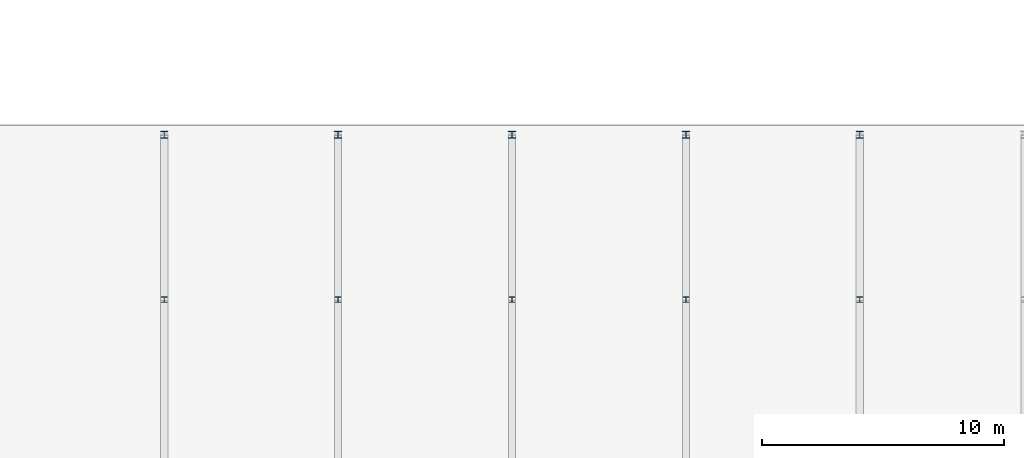
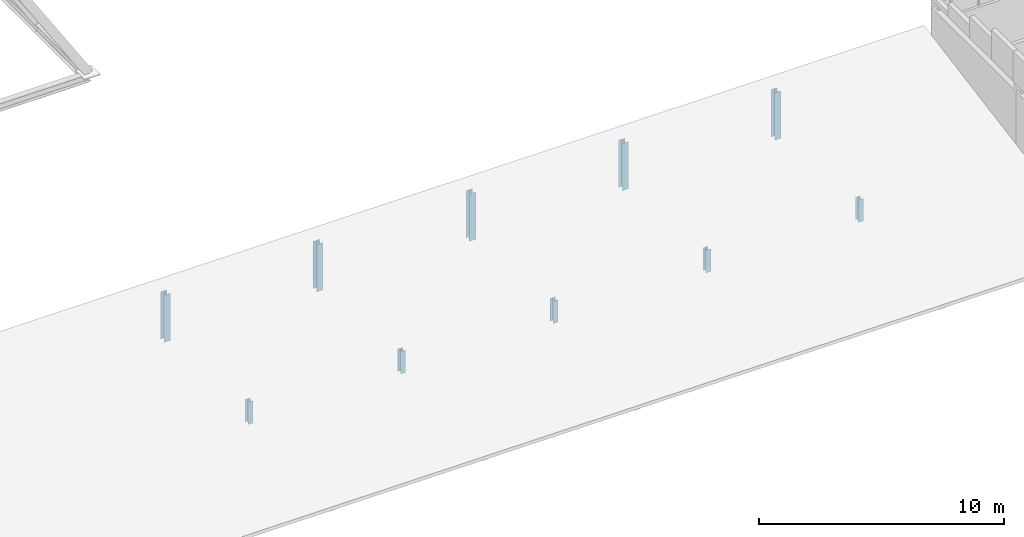
# One storey, part 4 of 56: 10 columns.
"""IFC4 building model written with IfcOpenShell, lengths in metres."""

from ifc_helpers import new_model, si_unit, direction, frame, origin, origin_2d, place, context, subcontext, project, spatial, i_section, extrude, material, material_profile, profile_set, type_object, element, save


model = new_model("IFC4")

# Units and contexts
model_context = context("Model", 3, precision=1e-05, world=origin(), true_north=direction((0.0, 1.0)))
body_context = subcontext(model_context, "Body", "Model", "MODEL_VIEW")
ifc_project = project(units=[si_unit("LENGTHUNIT", "METRE"), si_unit("AREAUNIT", "SQUARE_METRE"), si_unit("VOLUMEUNIT", "CUBIC_METRE"), si_unit("PLANEANGLEUNIT", "RADIAN"), si_unit("MASSUNIT", "GRAM", prefix="KILO")], contexts=[model_context])

# Site, building, storey
site_placement = place(None, origin())
site = spatial("IfcSite", under=ifc_project, at=site_placement, CompositionType="ELEMENT")
building_placement = place(site_placement, origin())
building = spatial("IfcBuilding", under=site, at=building_placement, Name="Vardoun Plaza Health Centre", CompositionType="ELEMENT")
storey_placement = place(building_placement, frame((0.0, 0.0, 8.699951171875)))
storey = spatial("IfcBuildingStorey", under=building, at=storey_placement, Name="L02", CompositionType="ELEMENT", Elevation=8.699951171875)

# Columns
ifc_material_1 = material(Name="Steel S355J2", Category="steel")
ifc_material_profile_1 = material_profile(ifc_material_1, i_section(OverallWidth=0.239990234375, OverallDepth=0.239990234375, WebThickness=0.010009765625, FlangeThickness=0.01708984375, FilletRadius=0.02099609375, at=origin_2d()), Name="HEB 240")
ifc_profile_set_1 = profile_set([ifc_material_profile_1], Name="Steel S355J2")
column_type_1 = type_object("IfcColumnType", Name="C-19", PredefinedType="COLUMN", material=ifc_profile_set_1)
for number, where, z_axis, x_axis, name in (
    (1, (69.47998046875, 11.699951171875, -0.239990234375), (0.0, 0.0, 1.0), (1.0, 0.0, 0.0), "V4 Clerestory Mid Post 2"),
    (2, (76.679931640625, 11.699951171875, -0.239990234375), (0.0, 0.0, 1.0), (1.0, 0.0, 0.0), "V4 Clerestory Mid Post 3"),
    (3, (83.8798828125, 11.699951171875, -0.239990234375), (0.0, 0.0, 1.0), (1.0, 0.0, 0.0), "V4 Clerestory Mid Post 4"),
    (4, (91.080078125, 11.699951171875, -0.239990234375), (0.0, 0.0, 1.0), (1.0, 0.0, 0.0), "V4 Clerestory Mid Post 5"),
    (5, (98.280029296875, 11.699951171875, -0.239990234375), (0.0, 0.0, 1.0), (1.0, 0.0, 0.0), "V4 Clerestory Mid Post 6"),
):
    element("IfcColumn", number, at=place(storey_placement, frame(where, z_axis=z_axis, x_axis=x_axis)), inside=storey, type_object=column_type_1, Name=name, PredefinedType="COLUMN", context=body_context, shape_type="SweptSolid", body=[
        extrude(i_section(OverallWidth=0.239990234375, OverallDepth=0.239990234375, WebThickness=0.010009765625, FlangeThickness=0.01708984375, FilletRadius=0.02099609375, at=origin_2d()), origin(), (0.0, 0.0, 1.0), 1.1201171875),
    ])
ifc_material_2 = material(Name="Steel S355J2", Category="steel")
ifc_material_profile_2 = material_profile(ifc_material_2, i_section(OverallWidth=0.300048828125, OverallDepth=0.300048828125, WebThickness=0.010986328125, FlangeThickness=0.01904296875, FilletRadius=0.027099609375, at=origin_2d()), Name="HEB 300")
ifc_profile_set_2 = profile_set([ifc_material_profile_2], Name="Steel S355J2")
column_type_2 = type_object("IfcColumnType", Name="C-18", PredefinedType="COLUMN", material=ifc_profile_set_2)
for number, where, z_axis, x_axis, name in (
    (6, (69.47998046875, 18.52001953125, -0.239990234375), (0.0, 0.0, 1.0), (1.0, 0.0, 0.0), "V4 Clerestory Ridge Post 2"),
    (7, (76.679931640625, 18.52001953125, -0.239990234375), (0.0, 0.0, 1.0), (1.0, 0.0, 0.0), "V4 Clerestory Ridge Post 3"),
    (8, (83.8798828125, 18.52001953125, -0.239990234375), (0.0, 0.0, 1.0), (1.0, 0.0, 0.0), "V4 Clerestory Ridge Post 4"),
    (9, (91.080078125, 18.52001953125, -0.239990234375), (0.0, 0.0, 1.0), (1.0, 0.0, 0.0), "V4 Clerestory Ridge Post 5"),
    (10, (98.280029296875, 18.52001953125, -0.239990234375), (0.0, 0.0, 1.0), (1.0, 0.0, 0.0), "V4 Clerestory Ridge Post 6"),
):
    element("IfcColumn", number, at=place(storey_placement, frame(where, z_axis=z_axis, x_axis=x_axis)), inside=storey, type_object=column_type_2, Name=name, PredefinedType="COLUMN", context=body_context, shape_type="SweptSolid", body=[
        extrude(i_section(OverallWidth=0.300048828125, OverallDepth=0.300048828125, WebThickness=0.010986328125, FlangeThickness=0.01904296875, FilletRadius=0.027099609375, at=origin_2d()), origin(), (0.0, 0.0, 1.0), 2.351318359375),
    ])

save(model, "model.ifc")
